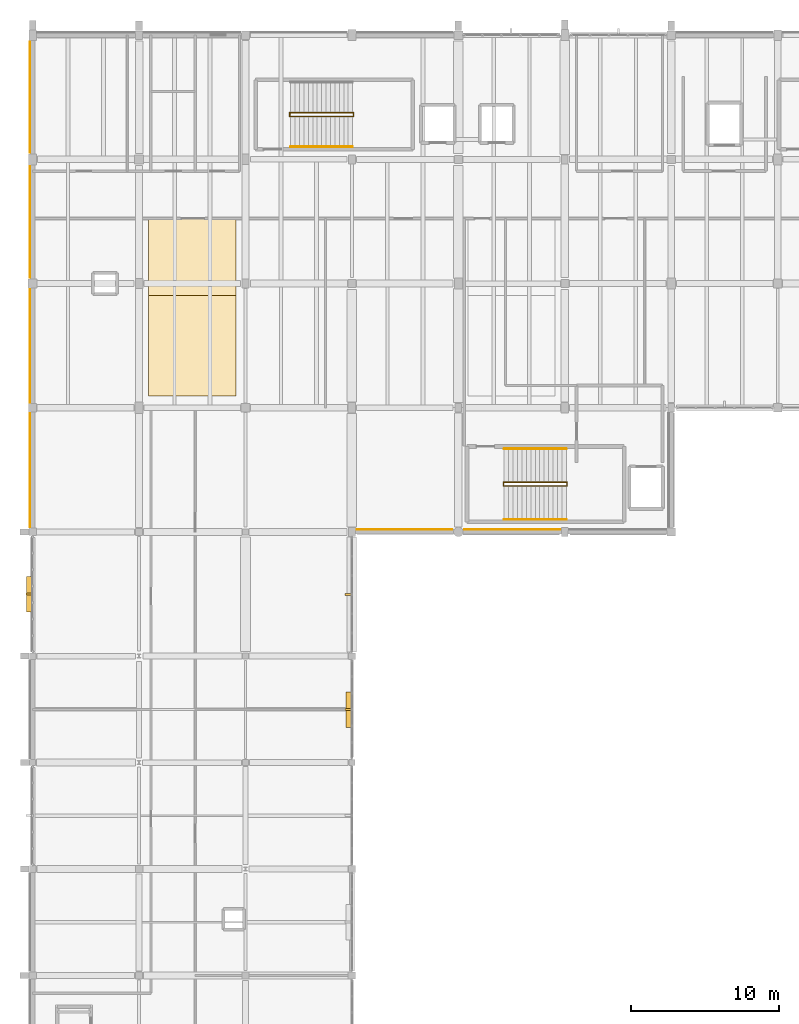
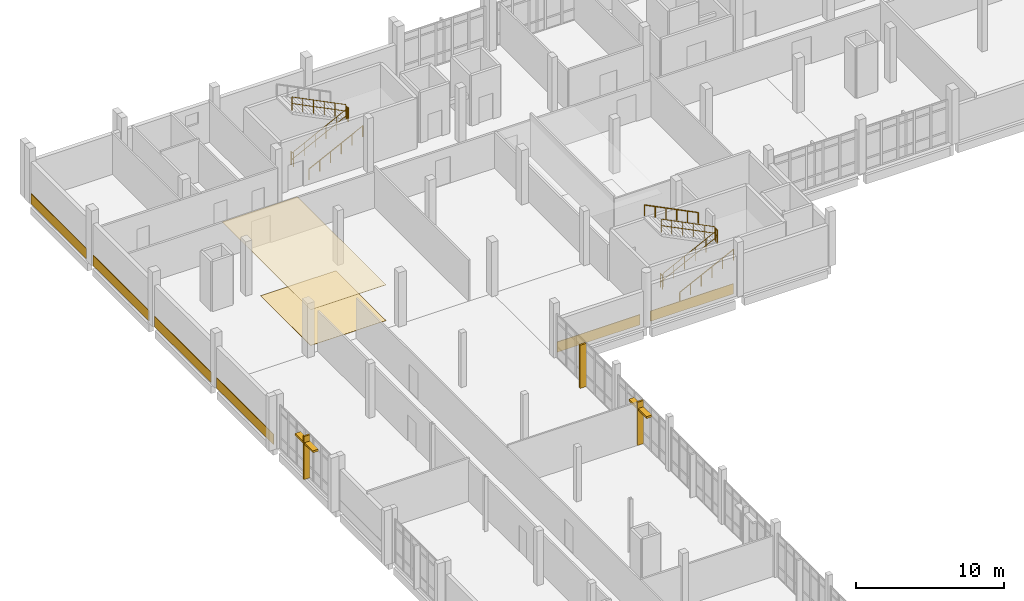
# One storey, part 59 of 62: 11 railings, 8 coverings, 5 shading devices.
"""IFC4 building model written with IfcOpenShell, lengths in metres."""

from ifc_helpers import new_model, si_unit, direction, frame, origin, origin_2d, place, context, subcontext, project, spatial, polyline, rectangle, circle, outline, extrude, material, layer, layer_set, type_object, element, save


model = new_model("IFC4")

# Units and contexts
model_context = context("Model", 3, precision=1e-05, world=origin(), true_north=direction((0.0, 1.0)))
body_context = subcontext(model_context, "Body", "Model", "MODEL_VIEW")
ifc_project = project(units=[si_unit("LENGTHUNIT", "METRE"), si_unit("AREAUNIT", "SQUARE_METRE"), si_unit("VOLUMEUNIT", "CUBIC_METRE"), si_unit("PLANEANGLEUNIT", "RADIAN"), si_unit("MASSUNIT", "GRAM", prefix="KILO")], contexts=[model_context])

# Site, building, storey
site_placement = place(None, origin())
site = spatial("IfcSite", under=ifc_project, at=site_placement, CompositionType="ELEMENT")
building_placement = place(site_placement, origin())
building = spatial("IfcBuilding", under=site, at=building_placement, Name="Kalluvel Institute of Natural Sciences", CompositionType="ELEMENT")
storey_placement = place(building_placement, frame((0.0, 0.0, 27.89990234375)))
storey = spatial("IfcBuildingStorey", under=building, at=storey_placement, Name="L06", CompositionType="ELEMENT", Elevation=27.89990234375)

# Coverings
ifc_material_1 = material(Name="Perforated Mineral-Fibre Acoustic Tile", Category="gypsum")
ifc_layer_1 = layer(ifc_material_1, 0.02490234375)
ifc_layer_set_1 = layer_set([ifc_layer_1], Name="Perforated Mineral-Fibre Acoustic Tile")
covering_type_1 = type_object("IfcCoveringType", Name="COV-CEIL-600", PredefinedType="CEILING", material=ifc_layer_set_1)
covering_1_placement = place(storey_placement, frame((0.0, 0.0, 2.9501953125)))
element("IfcCovering", 1, at=covering_1_placement, inside=storey, type_object=covering_type_1, Name="L06 laboratory acoustic ceiling panel 13", PredefinedType="CEILING", context=body_context, shape_type="SweptSolid", body=[
    extrude(outline(polyline([(21.85009765625, 103.60009765625), (27.75, 103.60009765625), (27.75, 115.60009765625), (21.85009765625, 115.60009765625), (21.85009765625, 103.60009765625)])), origin(), (0.0, 0.0, 1.0), 0.02490234375),
])
ifc_material_2 = material(Name="Sadarahalli Grey Granite Ashlar Concrete M40", Category="masonry")
ifc_layer_2 = layer(ifc_material_2, 0.044921875)
ifc_layer_set_2 = layer_set([ifc_layer_2], Name="Sadarahalli Grey Granite Ashlar Concrete M40")
covering_type_2 = type_object("IfcCoveringType", Name="COV-CLAD-STONE", PredefinedType="CLADDING", material=ifc_layer_set_2)
covering_2_placement = place(storey_placement, frame((13.820068359375, 106.987548828125, 0.025146484375), z_axis=(0.0, 0.0, 1.0), x_axis=(0.0, 1.0, 0.0)))
element("IfcCovering", 2, at=covering_2_placement, inside=storey, type_object=covering_type_2, Name="L06 Sadarahalli granite plinth spandrel cladding 80", PredefinedType="CLADDING", context=body_context, shape_type="SweptSolid", body=[
    extrude(rectangle(XDim=7.6650390625, YDim=0.044921875, at=origin_2d()), origin(), (0.0, 0.0, 1.0), 0.85009765625),
])
covering_3_placement = place(storey_placement, frame((13.820068359375, 115.362548828125, 0.025146484375), z_axis=(0.0, 0.0, 1.0), x_axis=(0.0, 1.0, 0.0)))
element("IfcCovering", 3, at=covering_3_placement, inside=storey, type_object=covering_type_2, Name="L06 Sadarahalli granite plinth spandrel cladding 81", PredefinedType="CLADDING", context=body_context, shape_type="SweptSolid", body=[
    extrude(rectangle(XDim=7.56494140625, YDim=0.044921875, at=origin_2d()), origin(), (0.0, 0.0, 1.0), 0.85009765625),
])
covering_4_placement = place(storey_placement, frame((13.820068359375, 123.8125, 0.025146484375), z_axis=(0.0, 0.0, 1.0), x_axis=(0.0, 1.0, 0.0)))
element("IfcCovering", 4, at=covering_4_placement, inside=storey, type_object=covering_type_2, Name="L06 Sadarahalli granite plinth spandrel cladding 82", PredefinedType="CLADDING", context=body_context, shape_type="SweptSolid", body=[
    extrude(rectangle(XDim=7.514892578125, YDim=0.044921875, at=origin_2d()), origin(), (0.0, 0.0, 1.0), 0.85009765625),
])
for number, where, z_axis, x_axis, name in (
    (5, (39.14990234375, 94.570068359375, 0.025146484375), (0.0, 0.0, 1.0), (1.0, 0.0, 0.0), "L06 Sadarahalli granite plinth spandrel cladding 115"),
    (6, (46.449951171875, 94.570068359375, 0.025146484375), (0.0, 0.0, 1.0), (1.0, 0.0, 0.0), "L06 Sadarahalli granite plinth spandrel cladding 116"),
):
    element("IfcCovering", number, at=place(storey_placement, frame(where, z_axis=z_axis, x_axis=x_axis)), inside=storey, type_object=covering_type_2, Name=name, PredefinedType="CLADDING", context=body_context, shape_type="SweptSolid", body=[
        extrude(rectangle(XDim=6.489990234375, YDim=0.044921875, at=origin_2d()), origin(), (0.0, 0.0, 1.0), 0.85009765625),
    ])
covering_5_placement = place(storey_placement, frame((13.830078125, 98.58740234375, 0.025146484375), z_axis=(0.0, 0.0, 1.0), x_axis=(0.0, 1.0, 0.0)))
element("IfcCovering", 7, at=covering_5_placement, inside=storey, type_object=covering_type_2, Name="L06 Sadarahalli granite plinth spandrel cladding 197", PredefinedType="CLADDING", context=body_context, shape_type="SweptSolid", body=[
    extrude(rectangle(XDim=7.715087890625, YDim=0.044921875, at=origin_2d()), origin(), (0.0, 0.0, 1.0), 0.85009765625),
])
ifc_material_3 = material(Name="Seamless Chemical-Resistant Epoxy Flooring", Category="resin")
ifc_layer_3 = layer(ifc_material_3, 0.014892578125)
ifc_layer_set_3 = layer_set([ifc_layer_3], Name="Seamless Chemical-Resistant Epoxy Flooring")
covering_type_3 = type_object("IfcCoveringType", Name="COV-FLR-EPOXY", PredefinedType="FLOORING", material=ifc_layer_set_3)
covering_6_placement = place(storey_placement, origin())
element("IfcCovering", 8, at=covering_6_placement, inside=storey, type_object=covering_type_3, Name="L06 seamless epoxy laboratory floor finish 13", PredefinedType="FLOORING", context=body_context, shape_type="SweptSolid", body=[
    extrude(outline(polyline([(21.85009765625, 103.60009765625), (27.75, 103.60009765625), (27.75, 110.39990234375), (21.85009765625, 110.39990234375), (21.85009765625, 103.60009765625)])), origin(), (0.0, 0.0, 1.0), 0.01513671875),
])

# Railings
ifc_material_4 = material(Name="Galvanized Fire-Rated Steel", Category="steel")
railing_type_1 = type_object("IfcRailingType", Name="RL-GD-STAIR", PredefinedType="BALUSTRADE", material=ifc_material_4)
railing_1_placement = place(storey_placement, frame((31.449951171875, 122.510009765625, 0.150146484375)))
element("IfcRailing", 9, at=railing_1_placement, inside=storey, type_object=railing_type_1, Name="L06 ST1 stair guard 1", PredefinedType="BALUSTRADE", context=body_context, shape_type="SweptSolid", body=[
    extrude(circle(Radius=0.02392578125, at=origin_2d()), frame((0.0, 0.0, 1.09619140625), z_axis=(0.894437589381, 0.0, 0.447192798132), x_axis=(0.0, 1.0, 0.0)), (0.0, 0.0, 1.0), 4.695556640625),
    extrude(circle(Radius=0.02392578125, at=origin_2d()), frame((0.0, 0.0, 0.56005859375), z_axis=(0.894437589381, 0.0, 0.447192798132), x_axis=(0.0, 1.0, 0.0)), (0.0, 0.0, 1.0), 4.695556640625),
    extrude(circle(Radius=0.02099609375, at=origin_2d()), origin(), (0.0, 0.0, 1.0), 1.072021484375),
    extrude(circle(Radius=0.02099609375, at=origin_2d()), frame((0.840087890625, 0.0, 0.419921875)), (0.0, 0.0, 1.0), 1.072021484375),
    extrude(circle(Radius=0.02099609375, at=origin_2d()), frame((1.679931640625, 0.0, 0.83984375)), (0.0, 0.0, 1.0), 1.072021484375),
    extrude(circle(Radius=0.02099609375, at=origin_2d()), frame((2.52001953125, 0.0, 1.260009765625)), (0.0, 0.0, 1.0), 1.072021484375),
    extrude(circle(Radius=0.02099609375, at=origin_2d()), frame((3.35986328125, 0.0, 1.679931640625)), (0.0, 0.0, 1.0), 1.072021484375),
    extrude(circle(Radius=0.02099609375, at=origin_2d()), frame((4.199951171875, 0.0, 2.099853515625)), (0.0, 0.0, 1.0), 1.072021484375),
])
railing_2_placement = place(storey_placement, frame((35.699951171875, 122.4951171875, 2.25)))
element("IfcRailing", 10, at=railing_2_placement, inside=storey, type_object=railing_type_1, Name="L06 ST1 stair guard 2", PredefinedType="BALUSTRADE", context=body_context, shape_type="SweptSolid", body=[
    extrude(circle(Radius=0.02392578125, at=origin_2d()), frame((0.0, 0.0, 1.09619140625), z_axis=(0.0, 1.0, 0.0), x_axis=(-1.0, 0.0, 0.0)), (0.0, 0.0, 1.0), 0.27978515625),
    extrude(circle(Radius=0.02392578125, at=origin_2d()), frame((0.0, 0.0, 0.56005859375), z_axis=(0.0, 1.0, 0.0), x_axis=(-1.0, 0.0, 0.0)), (0.0, 0.0, 1.0), 0.27978515625),
    extrude(circle(Radius=0.02099609375, at=origin_2d()), origin(), (0.0, 0.0, 1.0), 1.072021484375),
    extrude(circle(Radius=0.02099609375, at=origin_2d()), frame((0.0, 0.27978515625, 0.0)), (0.0, 0.0, 1.0), 1.072021484375),
])
railing_3_placement = place(storey_placement, frame((35.64990234375, 122.760009765625, 2.400146484375)))
element("IfcRailing", 11, at=railing_3_placement, inside=storey, type_object=railing_type_1, Name="L06 ST1 stair guard 3", PredefinedType="BALUSTRADE", context=body_context, shape_type="SweptSolid", body=[
    extrude(circle(Radius=0.02392578125, at=origin_2d()), frame((0.0, 0.0, 1.09619140625), z_axis=(-0.894437589381, 0.0, 0.447192798132), x_axis=(0.0, -1.0, 0.0)), (0.0, 0.0, 1.0), 4.695556640625),
    extrude(circle(Radius=0.02392578125, at=origin_2d()), frame((0.0, 0.0, 0.56005859375), z_axis=(-0.894437589381, 0.0, 0.447192798132), x_axis=(0.0, -1.0, 0.0)), (0.0, 0.0, 1.0), 4.695556640625),
    extrude(circle(Radius=0.02099609375, at=origin_2d()), origin(), (0.0, 0.0, 1.0), 1.072021484375),
    extrude(circle(Radius=0.02099609375, at=origin_2d()), frame((-0.840087890625, 0.0, 0.419921875)), (0.0, 0.0, 1.0), 1.072021484375),
    extrude(circle(Radius=0.02099609375, at=origin_2d()), frame((-1.679931640625, 0.0, 0.83984375)), (0.0, 0.0, 1.0), 1.072021484375),
    extrude(circle(Radius=0.02099609375, at=origin_2d()), frame((-2.52001953125, 0.0, 1.260009765625)), (0.0, 0.0, 1.0), 1.072021484375),
    extrude(circle(Radius=0.02099609375, at=origin_2d()), frame((-3.35986328125, 0.0, 1.679931640625)), (0.0, 0.0, 1.0), 1.072021484375),
    extrude(circle(Radius=0.02099609375, at=origin_2d()), frame((-4.199951171875, 0.0, 2.099853515625)), (0.0, 0.0, 1.0), 1.072021484375),
])
railing_4_placement = place(storey_placement, frame((31.39990234375, 122.4951171875, 0.0)))
element("IfcRailing", 12, at=railing_4_placement, inside=storey, type_object=railing_type_1, Name="L06 ST1 stair guard 4", PredefinedType="BALUSTRADE", context=body_context, shape_type="SweptSolid", body=[
    extrude(circle(Radius=0.02392578125, at=origin_2d()), frame((0.0, 0.0, 1.09619140625), z_axis=(0.0, 1.0, 0.0), x_axis=(-1.0, 0.0, 0.0)), (0.0, 0.0, 1.0), 0.27978515625),
    extrude(circle(Radius=0.02392578125, at=origin_2d()), frame((0.0, 0.0, 0.56005859375), z_axis=(0.0, 1.0, 0.0), x_axis=(-1.0, 0.0, 0.0)), (0.0, 0.0, 1.0), 0.27978515625),
    extrude(circle(Radius=0.02099609375, at=origin_2d()), origin(), (0.0, 0.0, 1.0), 1.072021484375),
    extrude(circle(Radius=0.02099609375, at=origin_2d()), frame((0.0, 0.27978515625, 0.0)), (0.0, 0.0, 1.0), 1.072021484375),
])
railing_5_placement = place(storey_placement, frame((45.89990234375, 97.510009765625, 0.150146484375)))
element("IfcRailing", 13, at=railing_5_placement, inside=storey, type_object=railing_type_1, Name="L06 ST3 stair guard 1", PredefinedType="BALUSTRADE", context=body_context, shape_type="SweptSolid", body=[
    extrude(circle(Radius=0.02392578125, at=origin_2d()), frame((0.0, 0.0, 1.09619140625), z_axis=(0.894447986312, 0.0, 0.447172002457), x_axis=(0.0, 1.0, 0.0)), (0.0, 0.0, 1.0), 4.69580078125),
    extrude(circle(Radius=0.02392578125, at=origin_2d()), frame((0.0, 0.0, 0.56005859375), z_axis=(0.894447986312, 0.0, 0.447172002457), x_axis=(0.0, 1.0, 0.0)), (0.0, 0.0, 1.0), 4.69580078125),
    extrude(circle(Radius=0.02099609375, at=origin_2d()), origin(), (0.0, 0.0, 1.0), 1.072021484375),
    extrude(circle(Radius=0.02099609375, at=origin_2d()), frame((0.840087890625, 0.0, 0.419921875)), (0.0, 0.0, 1.0), 1.072021484375),
    extrude(circle(Radius=0.02099609375, at=origin_2d()), frame((1.68017578125, 0.0, 0.83984375)), (0.0, 0.0, 1.0), 1.072021484375),
    extrude(circle(Radius=0.02099609375, at=origin_2d()), frame((2.52001953125, 0.0, 1.260009765625)), (0.0, 0.0, 1.0), 1.072021484375),
    extrude(circle(Radius=0.02099609375, at=origin_2d()), frame((3.360107421875, 0.0, 1.679931640625)), (0.0, 0.0, 1.0), 1.072021484375),
    extrude(circle(Radius=0.02099609375, at=origin_2d()), frame((4.2001953125, 0.0, 2.099853515625)), (0.0, 0.0, 1.0), 1.072021484375),
])
railing_6_placement = place(storey_placement, frame((50.14990234375, 97.4951171875, 2.25)))
element("IfcRailing", 14, at=railing_6_placement, inside=storey, type_object=railing_type_1, Name="L06 ST3 stair guard 2", PredefinedType="BALUSTRADE", context=body_context, shape_type="SweptSolid", body=[
    extrude(circle(Radius=0.02392578125, at=origin_2d()), frame((0.0, 0.0, 1.09619140625), z_axis=(0.0, 1.0, 0.0), x_axis=(-1.0, 0.0, 0.0)), (0.0, 0.0, 1.0), 0.27978515625),
    extrude(circle(Radius=0.02392578125, at=origin_2d()), frame((0.0, 0.0, 0.56005859375), z_axis=(0.0, 1.0, 0.0), x_axis=(-1.0, 0.0, 0.0)), (0.0, 0.0, 1.0), 0.27978515625),
    extrude(circle(Radius=0.02099609375, at=origin_2d()), origin(), (0.0, 0.0, 1.0), 1.072021484375),
    extrude(circle(Radius=0.02099609375, at=origin_2d()), frame((0.0, 0.27978515625, 0.0)), (0.0, 0.0, 1.0), 1.072021484375),
])
railing_7_placement = place(storey_placement, frame((50.10009765625, 97.760009765625, 2.400146484375)))
element("IfcRailing", 15, at=railing_7_placement, inside=storey, type_object=railing_type_1, Name="L06 ST3 stair guard 3", PredefinedType="BALUSTRADE", context=body_context, shape_type="SweptSolid", body=[
    extrude(circle(Radius=0.02392578125, at=origin_2d()), frame((0.0, 0.0, 1.09619140625), z_axis=(-0.894447986312, 0.0, 0.447172002457), x_axis=(0.0, -1.0, 0.0)), (0.0, 0.0, 1.0), 4.69580078125),
    extrude(circle(Radius=0.02392578125, at=origin_2d()), frame((0.0, 0.0, 0.56005859375), z_axis=(-0.894447986312, 0.0, 0.447172002457), x_axis=(0.0, -1.0, 0.0)), (0.0, 0.0, 1.0), 4.69580078125),
    extrude(circle(Radius=0.02099609375, at=origin_2d()), origin(), (0.0, 0.0, 1.0), 1.072021484375),
    extrude(circle(Radius=0.02099609375, at=origin_2d()), frame((-0.840087890625, 0.0, 0.419921875)), (0.0, 0.0, 1.0), 1.072021484375),
    extrude(circle(Radius=0.02099609375, at=origin_2d()), frame((-1.68017578125, 0.0, 0.83984375)), (0.0, 0.0, 1.0), 1.072021484375),
    extrude(circle(Radius=0.02099609375, at=origin_2d()), frame((-2.52001953125, 0.0, 1.260009765625)), (0.0, 0.0, 1.0), 1.072021484375),
    extrude(circle(Radius=0.02099609375, at=origin_2d()), frame((-3.360107421875, 0.0, 1.679931640625)), (0.0, 0.0, 1.0), 1.072021484375),
    extrude(circle(Radius=0.02099609375, at=origin_2d()), frame((-4.2001953125, 0.0, 2.099853515625)), (0.0, 0.0, 1.0), 1.072021484375),
])
railing_8_placement = place(storey_placement, frame((45.85009765625, 97.4951171875, 0.0)))
element("IfcRailing", 16, at=railing_8_placement, inside=storey, type_object=railing_type_1, Name="L06 ST3 stair guard 4", PredefinedType="BALUSTRADE", context=body_context, shape_type="SweptSolid", body=[
    extrude(circle(Radius=0.02392578125, at=origin_2d()), frame((0.0, 0.0, 1.09619140625), z_axis=(0.0, 1.0, 0.0), x_axis=(-1.0, 0.0, 0.0)), (0.0, 0.0, 1.0), 0.27978515625),
    extrude(circle(Radius=0.02392578125, at=origin_2d()), frame((0.0, 0.0, 0.56005859375), z_axis=(0.0, 1.0, 0.0), x_axis=(-1.0, 0.0, 0.0)), (0.0, 0.0, 1.0), 0.27978515625),
    extrude(circle(Radius=0.02099609375, at=origin_2d()), origin(), (0.0, 0.0, 1.0), 1.072021484375),
    extrude(circle(Radius=0.02099609375, at=origin_2d()), frame((0.0, 0.27978515625, 0.0)), (0.0, 0.0, 1.0), 1.072021484375),
])
railing_type_2 = type_object("IfcRailingType", Name="RL-HR-STAIR", PredefinedType="HANDRAIL", material=ifc_material_4)
railing_9_placement = place(storey_placement, frame((31.449951171875, 120.449951171875, 0.150146484375)))
element("IfcRailing", 17, at=railing_9_placement, inside=storey, type_object=railing_type_2, Name="L06 ST1 stair handrail 1", PredefinedType="HANDRAIL", context=body_context, shape_type="SweptSolid", body=[
    extrude(circle(Radius=0.02392578125, at=origin_2d()), frame((0.0, 0.0, 0.89599609375), z_axis=(0.894437589381, 0.0, 0.447192798132), x_axis=(0.0, 1.0, 0.0)), (0.0, 0.0, 1.0), 4.695556640625),
    extrude(circle(Radius=0.02099609375, at=origin_2d()), origin(), (0.0, 0.0, 1.0), 0.871826171875),
    extrude(circle(Radius=0.02099609375, at=origin_2d()), frame((0.840087890625, 0.0, 0.419921875)), (0.0, 0.0, 1.0), 0.871826171875),
    extrude(circle(Radius=0.02099609375, at=origin_2d()), frame((1.679931640625, 0.0, 0.83984375)), (0.0, 0.0, 1.0), 0.871826171875),
    extrude(circle(Radius=0.02099609375, at=origin_2d()), frame((2.52001953125, 0.0, 1.260009765625)), (0.0, 0.0, 1.0), 0.871826171875),
    extrude(circle(Radius=0.02099609375, at=origin_2d()), frame((3.35986328125, 0.0, 1.679931640625)), (0.0, 0.0, 1.0), 0.871826171875),
    extrude(circle(Radius=0.02099609375, at=origin_2d()), frame((4.199951171875, 0.0, 2.099853515625)), (0.0, 0.0, 1.0), 0.871826171875),
])
railing_10_placement = place(storey_placement, frame((45.89990234375, 95.25, 0.150146484375)))
element("IfcRailing", 18, at=railing_10_placement, inside=storey, type_object=railing_type_2, Name="L06 ST3 stair handrail 1", PredefinedType="HANDRAIL", context=body_context, shape_type="SweptSolid", body=[
    extrude(circle(Radius=0.02392578125, at=origin_2d()), frame((0.0, 0.0, 0.89599609375), z_axis=(0.894447986312, 0.0, 0.447172002457), x_axis=(0.0, 1.0, 0.0)), (0.0, 0.0, 1.0), 4.69580078125),
    extrude(circle(Radius=0.02099609375, at=origin_2d()), origin(), (0.0, 0.0, 1.0), 0.871826171875),
    extrude(circle(Radius=0.02099609375, at=origin_2d()), frame((0.840087890625, 0.0, 0.419921875)), (0.0, 0.0, 1.0), 0.871826171875),
    extrude(circle(Radius=0.02099609375, at=origin_2d()), frame((1.68017578125, 0.0, 0.83984375)), (0.0, 0.0, 1.0), 0.871826171875),
    extrude(circle(Radius=0.02099609375, at=origin_2d()), frame((2.52001953125, 0.0, 1.260009765625)), (0.0, 0.0, 1.0), 0.871826171875),
    extrude(circle(Radius=0.02099609375, at=origin_2d()), frame((3.360107421875, 0.0, 1.679931640625)), (0.0, 0.0, 1.0), 0.871826171875),
    extrude(circle(Radius=0.02099609375, at=origin_2d()), frame((4.2001953125, 0.0, 2.099853515625)), (0.0, 0.0, 1.0), 0.871826171875),
])
railing_11_placement = place(storey_placement, frame((50.10009765625, 100.02001953125, 2.400146484375)))
element("IfcRailing", 19, at=railing_11_placement, inside=storey, type_object=railing_type_2, Name="L06 ST3 stair handrail 2", PredefinedType="HANDRAIL", context=body_context, shape_type="SweptSolid", body=[
    extrude(circle(Radius=0.02392578125, at=origin_2d()), frame((0.0, 0.0, 0.89599609375), z_axis=(-0.894447986312, 0.0, 0.447172002457), x_axis=(0.0, -1.0, 0.0)), (0.0, 0.0, 1.0), 4.69580078125),
    extrude(circle(Radius=0.02099609375, at=origin_2d()), origin(), (0.0, 0.0, 1.0), 0.871826171875),
    extrude(circle(Radius=0.02099609375, at=origin_2d()), frame((-0.840087890625, 0.0, 0.419921875)), (0.0, 0.0, 1.0), 0.871826171875),
    extrude(circle(Radius=0.02099609375, at=origin_2d()), frame((-1.68017578125, 0.0, 0.83984375)), (0.0, 0.0, 1.0), 0.871826171875),
    extrude(circle(Radius=0.02099609375, at=origin_2d()), frame((-2.52001953125, 0.0, 1.260009765625)), (0.0, 0.0, 1.0), 0.871826171875),
    extrude(circle(Radius=0.02099609375, at=origin_2d()), frame((-3.360107421875, 0.0, 1.679931640625)), (0.0, 0.0, 1.0), 0.871826171875),
    extrude(circle(Radius=0.02099609375, at=origin_2d()), frame((-4.2001953125, 0.0, 2.099853515625)), (0.0, 0.0, 1.0), 0.871826171875),
])

# Shading devices
shading_device_type_1 = type_object("IfcShadingDeviceType", Name="SHD-FIN-STONE", PredefinedType="USERDEFINED", material=ifc_material_2)
for number, where, z_axis, x_axis, name in (
    (20, (13.780029296875, 90.1875, 0.0), (0.0, 0.0, 1.0), (0.0, 1.0, 0.0), "L06 monsoon lancet shading fin 207"),
    (21, (35.3798828125, 82.387451171875, 0.0), (0.0, 0.0, 1.0), (0.0, 1.0, 0.0), "L06 monsoon lancet shading fin 219"),
    (22, (35.3798828125, 90.16259765625, 0.0), (0.0, 0.0, 1.0), (0.0, 1.0, 0.0), "L06 monsoon lancet shading fin 221"),
):
    element("IfcShadingDevice", number, at=place(storey_placement, frame(where, z_axis=z_axis, x_axis=x_axis)), inside=storey, type_object=shading_device_type_1, Name=name, ObjectType="MONSOON FIN", PredefinedType="USERDEFINED", context=body_context, shape_type="SweptSolid", body=[
        extrude(rectangle(XDim=0.139892578125, YDim=0.47998046875, at=origin_2d()), origin(), (0.0, 0.0, 1.0), 3.570068359375),
    ])
ifc_material_5 = material(Name="Aluminium AW-6063 T6", Category="aluminium")
shading_device_type_2 = type_object("IfcShadingDeviceType", Name="SHD-LOUV-ALU", PredefinedType="JALOUSIE", material=ifc_material_5)
for number, where, z_axis, x_axis, name in (
    (23, (13.800048828125, 90.1875, 2.89013671875), (0.0, 0.0, 1.0), (0.0, 1.0, 0.0), "L06 aluminium sun-shading louvre 208"),
    (24, (35.39990234375, 82.387451171875, 2.89013671875), (0.0, 0.0, 1.0), (0.0, 1.0, 0.0), "L06 aluminium sun-shading louvre 220"),
):
    element("IfcShadingDevice", number, at=place(storey_placement, frame(where, z_axis=z_axis, x_axis=x_axis)), inside=storey, type_object=shading_device_type_2, Name=name, PredefinedType="JALOUSIE", context=body_context, shape_type="SweptSolid", body=[
        extrude(rectangle(XDim=2.39990234375, YDim=0.419921875, at=origin_2d()), origin(), (0.0, 0.0, 1.0), 0.159912109375),
    ])

save(model, "model.ifc")
